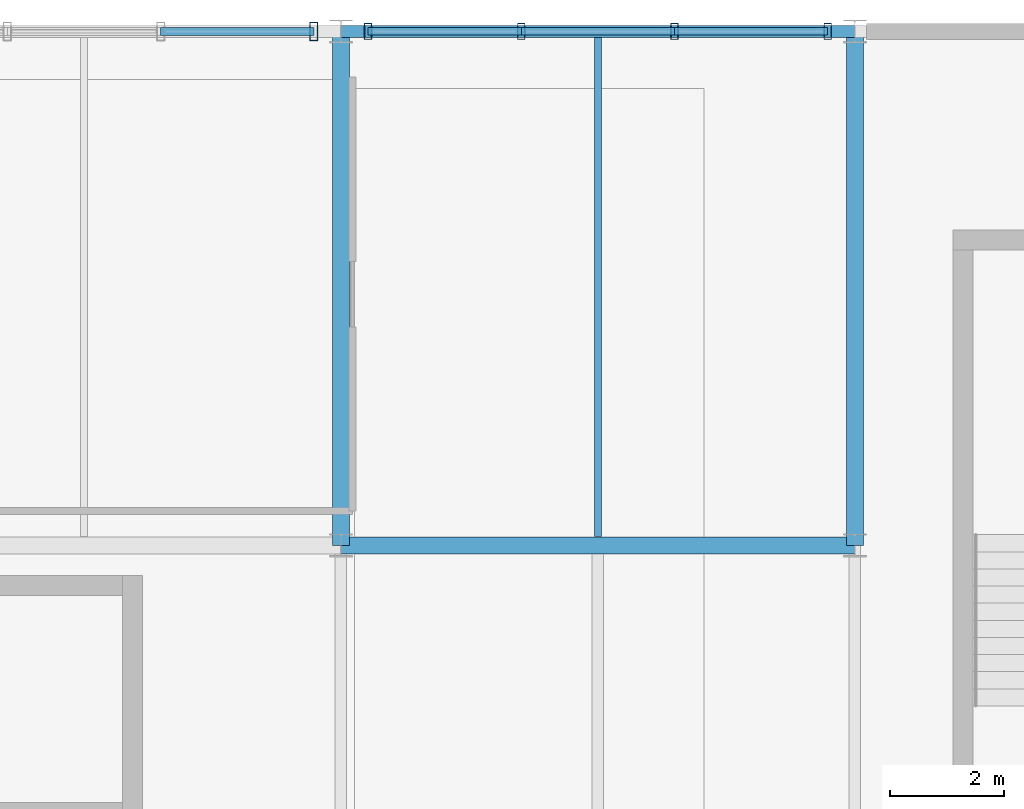
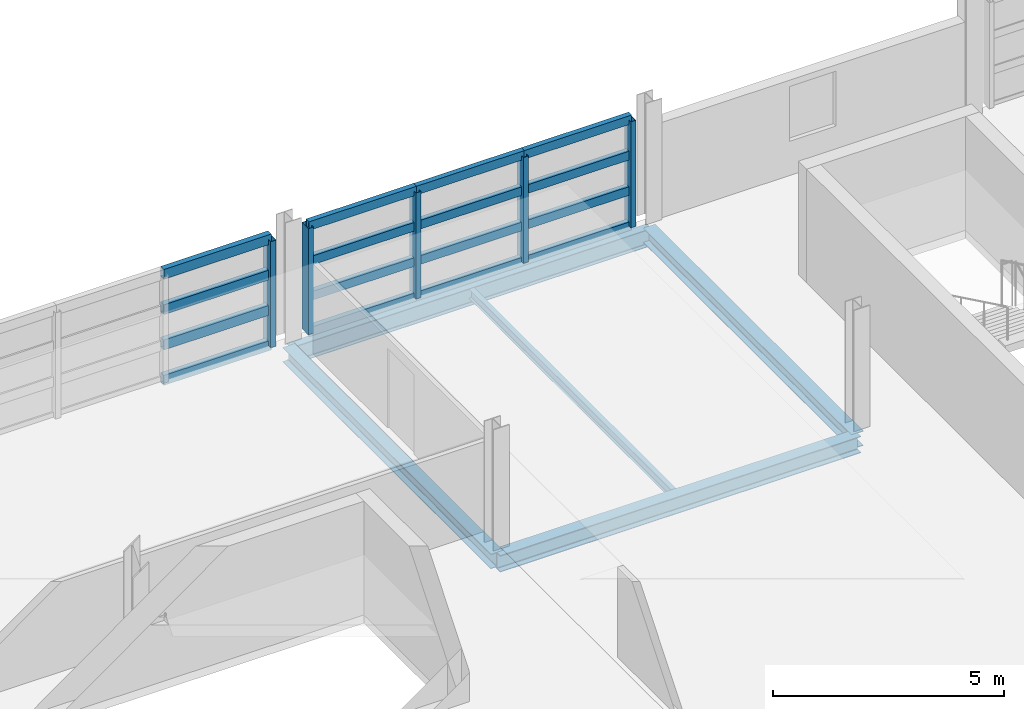
# One storey, part 54 of 86: 21 members, 5 beams, 2 elements without a shape of their own.
"""IFC4 building model written with IfcOpenShell, lengths in metres."""

from ifc_helpers import new_model, si_unit, direction, frame, origin, origin_2d, place, context, subcontext, project, spatial, hollow_rectangle, i_section, extrude, material, material_profile, profile_set, type_object, element, aggregate, save


model = new_model("IFC4")

# Units and contexts
model_context = context("Model", 3, precision=1e-05, world=origin(), true_north=direction((0.0, 1.0)))
body_context = subcontext(model_context, "Body", "Model", "MODEL_VIEW")
ifc_project = project(units=[si_unit("LENGTHUNIT", "METRE"), si_unit("AREAUNIT", "SQUARE_METRE"), si_unit("VOLUMEUNIT", "CUBIC_METRE"), si_unit("PLANEANGLEUNIT", "RADIAN"), si_unit("MASSUNIT", "GRAM", prefix="KILO")], contexts=[model_context])

# Site, building, storey
site_placement = place(None, origin())
site = spatial("IfcSite", under=ifc_project, at=site_placement, CompositionType="ELEMENT")
building_placement = place(site_placement, origin())
building = spatial("IfcBuilding", under=site, at=building_placement, Name="Chuanluo Vaults Station", CompositionType="ELEMENT")
storey_placement = place(building_placement, frame((0.0, 0.0, 14.39990234375)))
storey = spatial("IfcBuildingStorey", under=building, at=storey_placement, Name="L03", CompositionType="ELEMENT", Elevation=14.39990234375)

# Beams
ifc_material_1 = material(Name="Steel Q355C", Category="steel")
ifc_material_profile_1 = material_profile(ifc_material_1, i_section(OverallWidth=0.300048828125, OverallDepth=0.389892578125, WebThickness=0.010009765625, FlangeThickness=0.01611328125, FilletRadius=0.02001953125, at=origin_2d()))
ifc_profile_set_1 = profile_set([ifc_material_profile_1], Name="Steel Q355C")
beam_type_1 = type_object("IfcBeamType", Name="BM-GRD-400", PredefinedType="BEAM", material=ifc_profile_set_1)
for number, where, z_axis, x_axis, name in (
    (1, (163.0, 117.0, -0.414794921875), (0.0, 1.0, 0.0), (-1.0, 0.0, 0.0), "Floor girder BM:GY:L03:0813"),
    (2, (172.0, 117.0, -0.414794921875), (0.0, 1.0, 0.0), (-1.0, 0.0, 0.0), "Floor girder BM:GY:L03:0823"),
):
    element("IfcBeam", number, at=place(storey_placement, frame(where, z_axis=z_axis, x_axis=x_axis)), inside=storey, type_object=beam_type_1, Name=name, PredefinedType="BEAM", context=body_context, shape_type="SweptSolid", body=[
        extrude(i_section(OverallWidth=0.300048828125, OverallDepth=0.389892578125, WebThickness=0.010009765625, FlangeThickness=0.01611328125, FilletRadius=0.02001953125, at=origin_2d()), origin(), (0.0, 0.0, 1.0), 9.0),
    ])
ifc_material_2 = material(Name="Steel Q355C", Category="steel")
ifc_material_profile_2 = material_profile(ifc_material_2, i_section(OverallWidth=0.300048828125, OverallDepth=0.43994140625, WebThickness=0.010986328125, FlangeThickness=0.01806640625, FilletRadius=0.02001953125, at=origin_2d()))
ifc_profile_set_2 = profile_set([ifc_material_profile_2], Name="Steel Q355C")
beam_type_2 = type_object("IfcBeamType", Name="BM-GRD-450", PredefinedType="USERDEFINED", material=ifc_profile_set_2)
beam_1_placement = place(storey_placement, frame((163.0, 117.0, -0.43994140625), z_axis=(1.0, 0.0, 0.0), x_axis=(0.0, 1.0, 0.0)))
element("IfcBeam", 3, at=beam_1_placement, inside=storey, type_object=beam_type_2, Name="Floor girder BM:GX:L03:0766", ObjectType="GIRDER", PredefinedType="USERDEFINED", context=body_context, shape_type="SweptSolid", body=[
    extrude(i_section(OverallWidth=0.300048828125, OverallDepth=0.43994140625, WebThickness=0.010986328125, FlangeThickness=0.01806640625, FilletRadius=0.02001953125, at=origin_2d()), origin(), (0.0, 0.0, 1.0), 9.0),
])
ifc_material_3 = material(Name="Steel Q355C", Category="steel")
ifc_material_profile_3 = material_profile(ifc_material_3, i_section(OverallWidth=0.125, OverallDepth=0.25, WebThickness=0.006103515625, FlangeThickness=0.009033203125, FilletRadius=0.011962890625, at=origin_2d()))
ifc_profile_set_3 = profile_set([ifc_material_profile_3], Name="Steel Q355C")
beam_type_3 = type_object("IfcBeamType", Name="BM-SEC-250", PredefinedType="JOIST", material=ifc_profile_set_3)
beam_2_placement = place(storey_placement, frame((167.5, 117.155029296875, -0.344970703125), z_axis=(0.0, 1.0, 0.0), x_axis=(-1.0, 0.0, 0.0)))
element("IfcBeam", 4, at=beam_2_placement, inside=storey, type_object=beam_type_3, Name="Composite secondary joist 0258", PredefinedType="JOIST", context=body_context, shape_type="SweptSolid", body=[
    extrude(i_section(OverallWidth=0.125, OverallDepth=0.25, WebThickness=0.006103515625, FlangeThickness=0.009033203125, FilletRadius=0.011962890625, at=origin_2d()), origin(), (0.0, 0.0, 1.0), 8.737548828125),
])
ifc_material_4 = material(Name="Steel Q355C", Category="steel")
ifc_material_profile_4 = material_profile(ifc_material_4, i_section(OverallWidth=0.205078125, OverallDepth=0.4599609375, WebThickness=0.009033203125, FlangeThickness=0.013916015625, FilletRadius=0.01611328125, at=origin_2d()))
ifc_profile_set_4 = profile_set([ifc_material_profile_4], Name="Steel Q355C")
beam_type_4 = type_object("IfcBeamType", Name="BM-SPN-450", PredefinedType="SPANDREL", material=ifc_profile_set_4)
beam_3_placement = place(storey_placement, frame((163.0, 126.0, -0.449951171875), z_axis=(1.0, 0.0, 0.0), x_axis=(0.0, 1.0, 0.0)))
element("IfcBeam", 5, at=beam_3_placement, inside=storey, type_object=beam_type_4, Name="Floor girder BM:GX:L03:0773", PredefinedType="SPANDREL", context=body_context, shape_type="SweptSolid", body=[
    extrude(i_section(OverallWidth=0.205078125, OverallDepth=0.4599609375, WebThickness=0.009033203125, FlangeThickness=0.013916015625, FilletRadius=0.01611328125, at=origin_2d()), origin(), (0.0, 0.0, 1.0), 9.0),
])

# Curtain wall, members
ifc_material_5 = material(Name="Anodised aluminium 6063-T6", Category="aluminium")
curtain_wall_type_1 = type_object("IfcCurtainWallType", Name="CW-SYS-06", PredefinedType="NOTDEFINED", material=ifc_material_5)
curtain_wall_1_placement = place(storey_placement, origin())
curtain_wall_1 = element("IfcCurtainWall", 6, at=curtain_wall_1_placement, inside=storey, type_object=curtain_wall_type_1, Name="Operations L03 facade CW", PredefinedType="NOTDEFINED")
ifc_material_6 = material(Name="Anodised aluminium 6063-T6", Category="aluminium")
ifc_material_profile_5 = material_profile(ifc_material_6, hollow_rectangle(XDim=0.1298828125, YDim=0.280029296875, WallThickness=0.007080078125, at=origin_2d()))
ifc_profile_set_5 = profile_set([ifc_material_profile_5], Name="Anodised aluminium 6063-T6")
member_type_1 = type_object("IfcMemberType", Name="CWM-180", PredefinedType="MULLION", material=ifc_profile_set_5)
member_1_placement = place(storey_placement, frame((163.47509765625, 126.0, 0.0), z_axis=(0.0, 0.0, 1.0), x_axis=(1.0, 0.0, 0.0)))
member_1 = element("IfcMember", 7, at=member_1_placement, type_object=member_type_1, Name="Operations L03 facade CW mullion 1", PredefinedType="MULLION", context=body_context, shape_type="SweptSolid", body=[
    extrude(hollow_rectangle(XDim=0.1298828125, YDim=0.280029296875, WallThickness=0.007080078125, at=origin_2d()), origin(), (0.0, 0.0, 1.0), 2.800048828125),
])
member_2_placement = place(storey_placement, frame((166.158203125, 126.0, 0.0), z_axis=(0.0, 0.0, 1.0), x_axis=(1.0, 0.0, 0.0)))
member_2 = element("IfcMember", 8, at=member_2_placement, type_object=member_type_1, Name="Operations L03 facade CW mullion 2", PredefinedType="MULLION", context=body_context, shape_type="SweptSolid", body=[
    extrude(hollow_rectangle(XDim=0.1298828125, YDim=0.280029296875, WallThickness=0.007080078125, at=origin_2d()), origin(), (0.0, 0.0, 1.0), 2.800048828125),
])
member_3_placement = place(storey_placement, frame((168.841796875, 126.0, 0.0), z_axis=(0.0, 0.0, 1.0), x_axis=(1.0, 0.0, 0.0)))
member_3 = element("IfcMember", 9, at=member_3_placement, type_object=member_type_1, Name="Operations L03 facade CW mullion 3", PredefinedType="MULLION", context=body_context, shape_type="SweptSolid", body=[
    extrude(hollow_rectangle(XDim=0.1298828125, YDim=0.280029296875, WallThickness=0.007080078125, at=origin_2d()), origin(), (0.0, 0.0, 1.0), 2.800048828125),
])
member_4_placement = place(storey_placement, frame((171.52490234375, 126.0, 0.0), z_axis=(0.0, 0.0, 1.0), x_axis=(1.0, 0.0, 0.0)))
member_4 = element("IfcMember", 10, at=member_4_placement, type_object=member_type_1, Name="Operations L03 facade CW mullion 4", PredefinedType="MULLION", context=body_context, shape_type="SweptSolid", body=[
    extrude(hollow_rectangle(XDim=0.1298828125, YDim=0.280029296875, WallThickness=0.007080078125, at=origin_2d()), origin(), (0.0, 0.0, 1.0), 2.800048828125),
])

# Curtain wall, member
ifc_material_7 = material(Name="Anodised aluminium 6063-T6", Category="aluminium")
curtain_wall_type_2 = type_object("IfcCurtainWallType", Name="CW-SYS-05", PredefinedType="NOTDEFINED", material=ifc_material_7)
curtain_wall_2_placement = place(storey_placement, origin())
curtain_wall_2 = element("IfcCurtainWall", 11, at=curtain_wall_2_placement, inside=storey, type_object=curtain_wall_type_2, Name="Operations L03 facade CW", PredefinedType="NOTDEFINED")
ifc_material_8 = material(Name="Anodised aluminium 6063-T6", Category="aluminium")
ifc_material_profile_6 = material_profile(ifc_material_8, hollow_rectangle(XDim=0.139892578125, YDim=0.320068359375, WallThickness=0.008056640625, at=origin_2d()))
ifc_profile_set_6 = profile_set([ifc_material_profile_6], Name="Anodised aluminium 6063-T6")
member_type_2 = type_object("IfcMemberType", Name="CWM-220", PredefinedType="MULLION", material=ifc_profile_set_6)
member_5_placement = place(storey_placement, frame((162.52490234375, 126.0, 0.0), z_axis=(0.0, 0.0, 1.0), x_axis=(1.0, 0.0, 0.0)))
member_5 = element("IfcMember", 12, at=member_5_placement, type_object=member_type_2, Name="Operations L03 facade CW mullion 4", PredefinedType="MULLION", context=body_context, shape_type="SweptSolid", body=[
    extrude(hollow_rectangle(XDim=0.139892578125, YDim=0.320068359375, WallThickness=0.008056640625, at=origin_2d()), origin(), (0.0, 0.0, 1.0), 2.800048828125),
])

# Member
ifc_material_9 = material(Name="Anodised aluminium 6063-T6", Category="aluminium")
ifc_material_profile_7 = material_profile(ifc_material_9, hollow_rectangle(XDim=0.1298828125, YDim=0.22998046875, WallThickness=0.006103515625, at=origin_2d()))
ifc_profile_set_7 = profile_set([ifc_material_profile_7], Name="Anodised aluminium 6063-T6")
member_type_3 = type_object("IfcMemberType", Name="CWT-150", PredefinedType="USERDEFINED", material=ifc_profile_set_7)
member_6_placement = place(storey_placement, frame((163.47509765625, 126.0, 0.0), z_axis=(1.0, 0.0, 0.0), x_axis=(0.0, 1.0, 0.0)))
member_6 = element("IfcMember", 13, at=member_6_placement, type_object=member_type_3, Name="Operations L03 facade CW transom 1.1", ObjectType="TRANSOM", PredefinedType="USERDEFINED", context=body_context, shape_type="SweptSolid", body=[
    extrude(hollow_rectangle(XDim=0.1298828125, YDim=0.22998046875, WallThickness=0.006103515625, at=origin_2d()), origin(), (0.0, 0.0, 1.0), 2.68310546875),
])

member_7_placement = place(storey_placement, frame((163.47509765625, 126.0, 0.933349609375), z_axis=(1.0, 0.0, 0.0), x_axis=(0.0, 1.0, 0.0)))
member_7 = element("IfcMember", 14, at=member_7_placement, type_object=member_type_3, Name="Operations L03 facade CW transom 1.2", ObjectType="TRANSOM", PredefinedType="USERDEFINED", context=body_context, shape_type="SweptSolid", body=[
    extrude(hollow_rectangle(XDim=0.1298828125, YDim=0.22998046875, WallThickness=0.006103515625, at=origin_2d()), origin(), (0.0, 0.0, 1.0), 2.68310546875),
])

member_8_placement = place(storey_placement, frame((163.47509765625, 126.0, 1.86669921875), z_axis=(1.0, 0.0, 0.0), x_axis=(0.0, 1.0, 0.0)))
member_8 = element("IfcMember", 15, at=member_8_placement, type_object=member_type_3, Name="Operations L03 facade CW transom 1.3", ObjectType="TRANSOM", PredefinedType="USERDEFINED", context=body_context, shape_type="SweptSolid", body=[
    extrude(hollow_rectangle(XDim=0.1298828125, YDim=0.22998046875, WallThickness=0.006103515625, at=origin_2d()), origin(), (0.0, 0.0, 1.0), 2.68310546875),
])

member_9_placement = place(storey_placement, frame((163.47509765625, 126.0, 2.800048828125), z_axis=(1.0, 0.0, 0.0), x_axis=(0.0, 1.0, 0.0)))
member_9 = element("IfcMember", 16, at=member_9_placement, type_object=member_type_3, Name="Operations L03 facade CW transom 1.4", ObjectType="TRANSOM", PredefinedType="USERDEFINED", context=body_context, shape_type="SweptSolid", body=[
    extrude(hollow_rectangle(XDim=0.1298828125, YDim=0.22998046875, WallThickness=0.006103515625, at=origin_2d()), origin(), (0.0, 0.0, 1.0), 2.68310546875),
])

member_10_placement = place(storey_placement, frame((166.158203125, 126.0, 0.0), z_axis=(1.0, 0.0, 0.0), x_axis=(0.0, 1.0, 0.0)))
member_10 = element("IfcMember", 17, at=member_10_placement, type_object=member_type_3, Name="Operations L03 facade CW transom 2.1", ObjectType="TRANSOM", PredefinedType="USERDEFINED", context=body_context, shape_type="SweptSolid", body=[
    extrude(hollow_rectangle(XDim=0.1298828125, YDim=0.22998046875, WallThickness=0.006103515625, at=origin_2d()), origin(), (0.0, 0.0, 1.0), 2.68359375),
])

member_11_placement = place(storey_placement, frame((166.158203125, 126.0, 0.933349609375), z_axis=(1.0, 0.0, 0.0), x_axis=(0.0, 1.0, 0.0)))
member_11 = element("IfcMember", 18, at=member_11_placement, type_object=member_type_3, Name="Operations L03 facade CW transom 2.2", ObjectType="TRANSOM", PredefinedType="USERDEFINED", context=body_context, shape_type="SweptSolid", body=[
    extrude(hollow_rectangle(XDim=0.1298828125, YDim=0.22998046875, WallThickness=0.006103515625, at=origin_2d()), origin(), (0.0, 0.0, 1.0), 2.68359375),
])

member_12_placement = place(storey_placement, frame((166.158203125, 126.0, 1.86669921875), z_axis=(1.0, 0.0, 0.0), x_axis=(0.0, 1.0, 0.0)))
member_12 = element("IfcMember", 19, at=member_12_placement, type_object=member_type_3, Name="Operations L03 facade CW transom 2.3", ObjectType="TRANSOM", PredefinedType="USERDEFINED", context=body_context, shape_type="SweptSolid", body=[
    extrude(hollow_rectangle(XDim=0.1298828125, YDim=0.22998046875, WallThickness=0.006103515625, at=origin_2d()), origin(), (0.0, 0.0, 1.0), 2.68359375),
])

member_13_placement = place(storey_placement, frame((166.158203125, 126.0, 2.800048828125), z_axis=(1.0, 0.0, 0.0), x_axis=(0.0, 1.0, 0.0)))
member_13 = element("IfcMember", 20, at=member_13_placement, type_object=member_type_3, Name="Operations L03 facade CW transom 2.4", ObjectType="TRANSOM", PredefinedType="USERDEFINED", context=body_context, shape_type="SweptSolid", body=[
    extrude(hollow_rectangle(XDim=0.1298828125, YDim=0.22998046875, WallThickness=0.006103515625, at=origin_2d()), origin(), (0.0, 0.0, 1.0), 2.68359375),
])

member_14_placement = place(storey_placement, frame((168.841796875, 126.0, 0.0), z_axis=(1.0, 0.0, 0.0), x_axis=(0.0, 1.0, 0.0)))
member_14 = element("IfcMember", 21, at=member_14_placement, type_object=member_type_3, Name="Operations L03 facade CW transom 3.1", ObjectType="TRANSOM", PredefinedType="USERDEFINED", context=body_context, shape_type="SweptSolid", body=[
    extrude(hollow_rectangle(XDim=0.1298828125, YDim=0.22998046875, WallThickness=0.006103515625, at=origin_2d()), origin(), (0.0, 0.0, 1.0), 2.68310546875),
])

member_15_placement = place(storey_placement, frame((168.841796875, 126.0, 0.933349609375), z_axis=(1.0, 0.0, 0.0), x_axis=(0.0, 1.0, 0.0)))
member_15 = element("IfcMember", 22, at=member_15_placement, type_object=member_type_3, Name="Operations L03 facade CW transom 3.2", ObjectType="TRANSOM", PredefinedType="USERDEFINED", context=body_context, shape_type="SweptSolid", body=[
    extrude(hollow_rectangle(XDim=0.1298828125, YDim=0.22998046875, WallThickness=0.006103515625, at=origin_2d()), origin(), (0.0, 0.0, 1.0), 2.68310546875),
])

member_16_placement = place(storey_placement, frame((168.841796875, 126.0, 1.86669921875), z_axis=(1.0, 0.0, 0.0), x_axis=(0.0, 1.0, 0.0)))
member_16 = element("IfcMember", 23, at=member_16_placement, type_object=member_type_3, Name="Operations L03 facade CW transom 3.3", ObjectType="TRANSOM", PredefinedType="USERDEFINED", context=body_context, shape_type="SweptSolid", body=[
    extrude(hollow_rectangle(XDim=0.1298828125, YDim=0.22998046875, WallThickness=0.006103515625, at=origin_2d()), origin(), (0.0, 0.0, 1.0), 2.68310546875),
])

member_17_placement = place(storey_placement, frame((168.841796875, 126.0, 2.800048828125), z_axis=(1.0, 0.0, 0.0), x_axis=(0.0, 1.0, 0.0)))
member_17 = element("IfcMember", 24, at=member_17_placement, type_object=member_type_3, Name="Operations L03 facade CW transom 3.4", ObjectType="TRANSOM", PredefinedType="USERDEFINED", context=body_context, shape_type="SweptSolid", body=[
    extrude(hollow_rectangle(XDim=0.1298828125, YDim=0.22998046875, WallThickness=0.006103515625, at=origin_2d()), origin(), (0.0, 0.0, 1.0), 2.68310546875),
])

aggregate(curtain_wall_1, [member_1, member_2, member_3, member_4, member_6, member_7, member_8, member_9, member_10, member_11, member_12, member_13, member_14, member_15, member_16, member_17])

ifc_material_10 = material(Name="Anodised aluminium 6063-T6", Category="aluminium")
ifc_material_profile_8 = material_profile(ifc_material_10, hollow_rectangle(XDim=0.139892578125, YDim=0.260009765625, WallThickness=0.007080078125, at=origin_2d()))
ifc_profile_set_8 = profile_set([ifc_material_profile_8], Name="Anodised aluminium 6063-T6")
member_type_4 = type_object("IfcMemberType", Name="CWT-180", PredefinedType="USERDEFINED", material=ifc_profile_set_8)
member_18_placement = place(storey_placement, frame((159.841796875, 126.0, 0.0), z_axis=(1.0, 0.0, 0.0), x_axis=(0.0, 1.0, 0.0)))
member_18 = element("IfcMember", 25, at=member_18_placement, type_object=member_type_4, Name="Operations L03 facade CW transom 3.1", ObjectType="TRANSOM", PredefinedType="USERDEFINED", context=body_context, shape_type="SweptSolid", body=[
    extrude(hollow_rectangle(XDim=0.139892578125, YDim=0.260009765625, WallThickness=0.007080078125, at=origin_2d()), origin(), (0.0, 0.0, 1.0), 2.68310546875),
])

member_19_placement = place(storey_placement, frame((159.841796875, 126.0, 0.933349609375), z_axis=(1.0, 0.0, 0.0), x_axis=(0.0, 1.0, 0.0)))
member_19 = element("IfcMember", 26, at=member_19_placement, type_object=member_type_4, Name="Operations L03 facade CW transom 3.2", ObjectType="TRANSOM", PredefinedType="USERDEFINED", context=body_context, shape_type="SweptSolid", body=[
    extrude(hollow_rectangle(XDim=0.139892578125, YDim=0.260009765625, WallThickness=0.007080078125, at=origin_2d()), origin(), (0.0, 0.0, 1.0), 2.68310546875),
])

member_20_placement = place(storey_placement, frame((159.841796875, 126.0, 1.86669921875), z_axis=(1.0, 0.0, 0.0), x_axis=(0.0, 1.0, 0.0)))
member_20 = element("IfcMember", 27, at=member_20_placement, type_object=member_type_4, Name="Operations L03 facade CW transom 3.3", ObjectType="TRANSOM", PredefinedType="USERDEFINED", context=body_context, shape_type="SweptSolid", body=[
    extrude(hollow_rectangle(XDim=0.139892578125, YDim=0.260009765625, WallThickness=0.007080078125, at=origin_2d()), origin(), (0.0, 0.0, 1.0), 2.68310546875),
])

member_21_placement = place(storey_placement, frame((159.841796875, 126.0, 2.800048828125), z_axis=(1.0, 0.0, 0.0), x_axis=(0.0, 1.0, 0.0)))
member_21 = element("IfcMember", 28, at=member_21_placement, type_object=member_type_4, Name="Operations L03 facade CW transom 3.4", ObjectType="TRANSOM", PredefinedType="USERDEFINED", context=body_context, shape_type="SweptSolid", body=[
    extrude(hollow_rectangle(XDim=0.139892578125, YDim=0.260009765625, WallThickness=0.007080078125, at=origin_2d()), origin(), (0.0, 0.0, 1.0), 2.68310546875),
])

aggregate(curtain_wall_2, [member_5, member_18, member_19, member_20, member_21])

save(model, "model.ifc")
